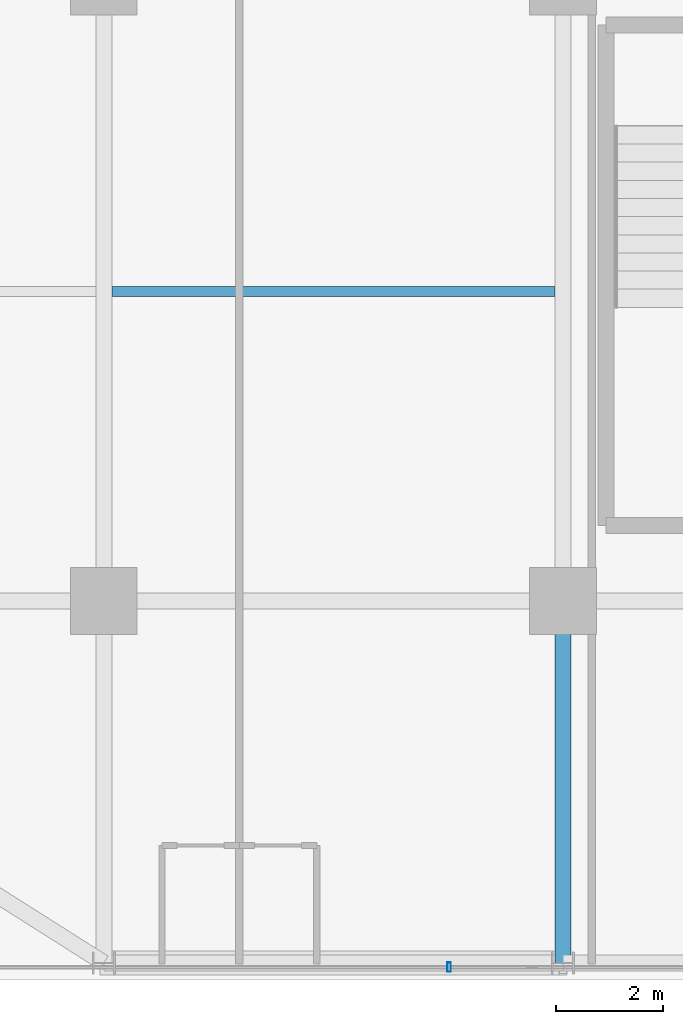
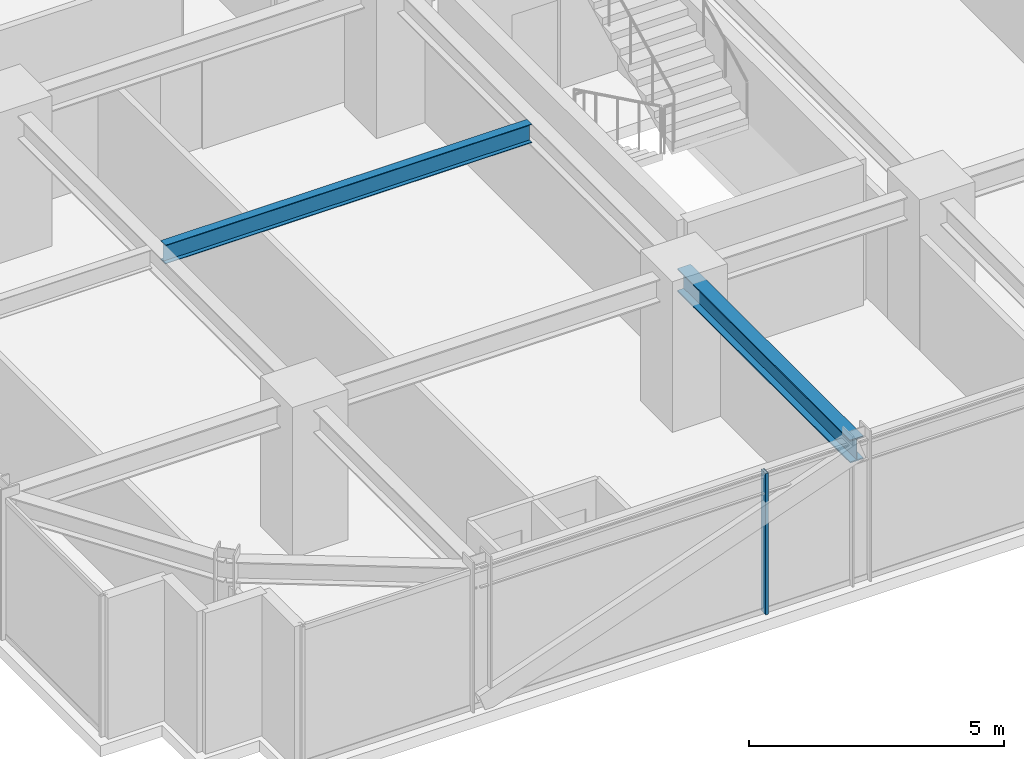
# One storey, part 5 of 35: 2 beams, 1 member, 1 element without a shape of its own.
"""IFC4 building model written with IfcOpenShell, lengths in metres."""

from ifc_helpers import new_model, si_unit, direction, frame, origin, origin_2d, place, context, subcontext, project, spatial, hollow_rectangle, i_section, extrude, source, transform, mapped, material, material_profile, profile_set, type_object, element, aggregate, save


model = new_model("IFC4")

# Units and contexts
model_context = context("Model", 3, precision=1e-05, world=origin(), true_north=direction((0.0, 1.0)))
body_context = subcontext(model_context, "Body", "Model", "MODEL_VIEW")
ifc_project = project(units=[si_unit("LENGTHUNIT", "METRE"), si_unit("AREAUNIT", "SQUARE_METRE"), si_unit("VOLUMEUNIT", "CUBIC_METRE"), si_unit("PLANEANGLEUNIT", "RADIAN"), si_unit("MASSUNIT", "GRAM", prefix="KILO")], contexts=[model_context])

# Site, building, storey
site_placement = place(None, origin())
site = spatial("IfcSite", under=ifc_project, at=site_placement, CompositionType="ELEMENT")
building_placement = place(site_placement, origin())
building = spatial("IfcBuilding", under=site, at=building_placement, Name="Nahalor Promenade Grand Hotel", CompositionType="ELEMENT")
storey_placement = place(building_placement, frame((0.0, 0.0, 121.14990234375)))
storey = spatial("IfcBuildingStorey", under=building, at=storey_placement, Name="L30", CompositionType="ELEMENT", Elevation=121.14990234375)

# Beams
ifc_material_1 = material(Name="Steel S355JR", Category="steel")
ifc_material_profile_1 = material_profile(ifc_material_1, i_section(OverallWidth=0.3, OverallDepth=0.55, WebThickness=0.015, FlangeThickness=0.029, at=origin_2d()), Name="HEB 550")
ifc_profile_set_1 = profile_set([ifc_material_profile_1], Name="Steel S355JR")
beam_type_1 = type_object("IfcBeamType", Name="Beam-Girder-HEB550", PredefinedType="BEAM", material=ifc_profile_set_1)
shared_shape_1 = source(origin(), body_context, "Body", "SweptSolid", [
    extrude(i_section(OverallWidth=0.3, OverallDepth=0.55, WebThickness=0.015, FlangeThickness=0.029, at=origin_2d()), origin(), (0.0, 0.0, 1.0), 6.780029296875),
])
beam_1_placement = place(storey_placement, frame((-8.39990234375, -23.780029296875, 3.10498046875), z_axis=(0.0, 1.0, 0.0), x_axis=(-1.0, 0.0, 0.0)))
element("IfcBeam", 1, at=beam_1_placement, inside=storey, type_object=beam_type_1, Name="BM-L30-GY-1-0", PredefinedType="BEAM", context=body_context, shape_type="MappedRepresentation", body=[
    mapped(shared_shape_1, transform((0.0, 0.0, 0.0), scale=1.0)),
])
ifc_material_profile_2 = material_profile(ifc_material_1, i_section(OverallWidth=0.19, OverallDepth=0.45, WebThickness=0.0094, FlangeThickness=0.0146, at=origin_2d()), Name="IPE 450")
ifc_profile_set_2 = profile_set([ifc_material_profile_2], Name="Steel S355JR")
beam_type_2 = type_object("IfcBeamType", Name="Beam-Joist-IPE450", PredefinedType="JOIST", material=ifc_profile_set_2)
shared_shape_2 = source(origin(), body_context, "Body", "SweptSolid", [
    extrude(i_section(OverallWidth=0.19, OverallDepth=0.45, WebThickness=0.0094, FlangeThickness=0.0146, at=origin_2d()), origin(), (0.0, 0.0, 1.0), 8.300048828125),
])
beam_2_placement = place(storey_placement, frame((-16.85009765625, -11.199951171875, 3.155029296875), z_axis=(1.0, 0.0, 0.0), x_axis=(0.0, 1.0, 0.0)))
element("IfcBeam", 2, at=beam_2_placement, inside=storey, type_object=beam_type_2, Name="BM-L30-JSW-0-1", PredefinedType="JOIST", context=body_context, shape_type="MappedRepresentation", body=[
    mapped(shared_shape_2, transform((0.0, 0.0, 0.0), scale=1.0)),
])

# Curtain wall, member
ifc_material_2 = material(Name="Anodised Bronze Aluminium EN AW-6063 T6", Category="aluminium")
curtain_wall_type = type_object("IfcCurtainWallType", Name="CW2 Typical Hotel Flush Bronze Unitised Curtain Wall", PredefinedType="USERDEFINED", material=ifc_material_2)
curtain_wall_placement = place(storey_placement, origin())
curtain_wall = element("IfcCurtainWall", 3, at=curtain_wall_placement, inside=storey, type_object=curtain_wall_type, Name="L30 Curtain Wall CW-L30-S-1", ObjectType="UNITISED_CURTAIN_WALL", PredefinedType="USERDEFINED")
ifc_material_profile_3 = material_profile(ifc_material_2, hollow_rectangle(XDim=0.065, YDim=0.18, WallThickness=0.004, at=origin_2d()), Name="CWM 65x180x4")
ifc_profile_set_3 = profile_set([ifc_material_profile_3], Name="Anodised Bronze Aluminium EN AW-6063 T6")
member_type = type_object("IfcMemberType", Name="CWM2 Typical Bronze Mullion 65x180", PredefinedType="MULLION", material=ifc_profile_set_3)
shared_shape_3 = source(origin(), body_context, "Body", "SweptSolid", [
    extrude(hollow_rectangle(XDim=0.065, YDim=0.18, WallThickness=0.004, at=origin_2d()), origin(), (0.0, 0.0, 1.0), 3.380126953125),
])
member_placement = place(storey_placement, frame((-10.530029296875, -23.860107421875, 0.0), z_axis=(0.0, 0.0, 1.0), x_axis=(1.0, 0.0, 0.0)))
member = element("IfcMember", 4, at=member_placement, type_object=member_type, Name="CW-L30-S-1 Mullion 1", PredefinedType="MULLION", context=body_context, shape_type="MappedRepresentation", body=[
    mapped(shared_shape_3, transform((0.0, 0.0, 0.0), scale=1.0)),
])
aggregate(curtain_wall, [member])

save(model, "model.ifc")
